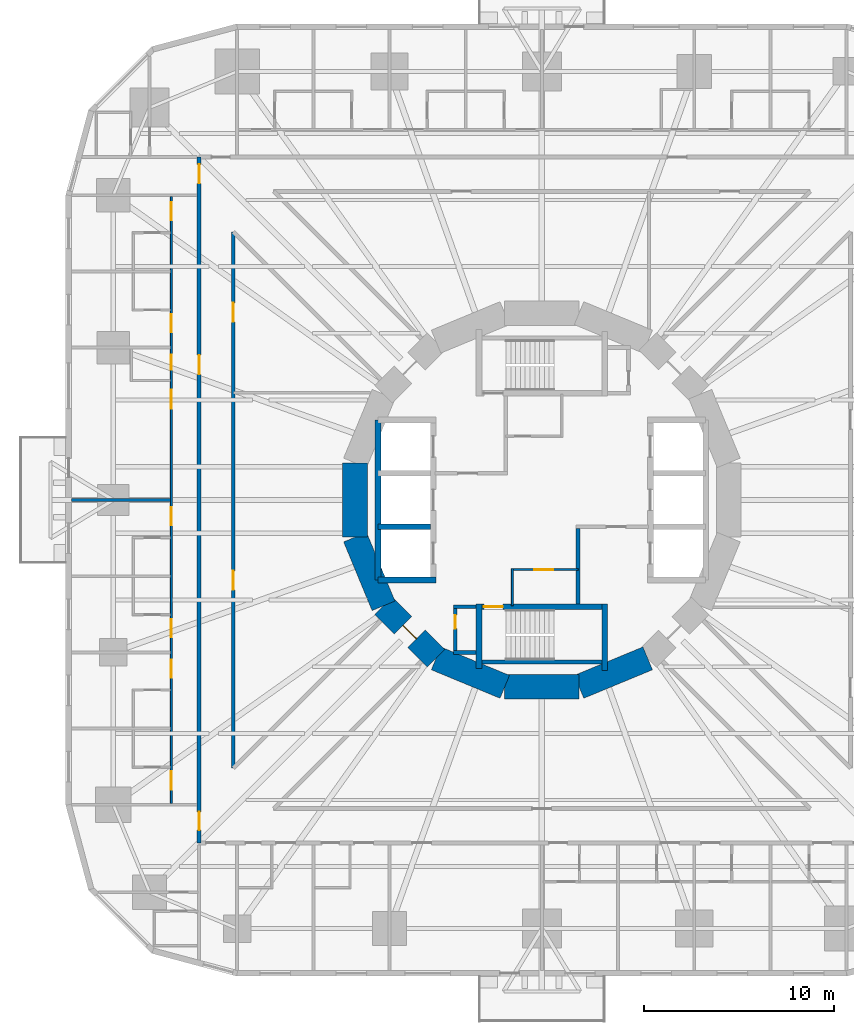
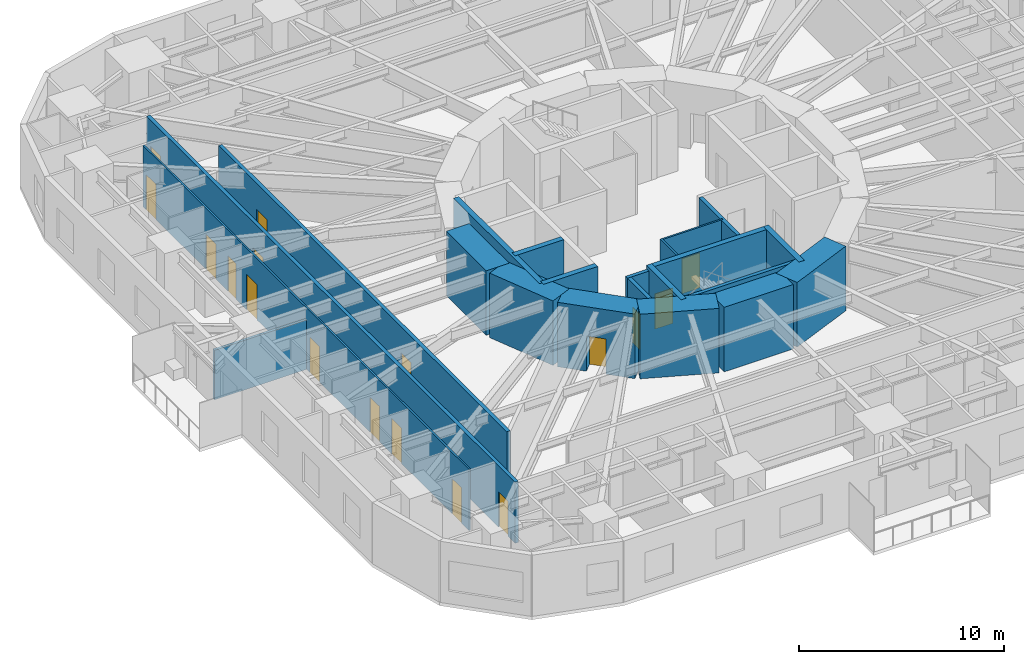
# One storey, part 6 of 14: 23 walls, 17 doors, 17 openings.
"""IFC4 building model written with IfcOpenShell, lengths in metres."""

from ifc_helpers import new_model, si_unit, direction, frame, frame_2d, origin, place, context, subcontext, project, spatial, rectangle, extrude, material, layer, layer_set, type_object, element, fill, save


model = new_model("IFC4")

# Units and contexts
model_context = context("Model", 3, precision=1e-05, world=origin(), true_north=direction((0.0, 1.0)))
body_context = subcontext(model_context, "Body", "Model", "MODEL_VIEW")
ifc_project = project(units=[si_unit("LENGTHUNIT", "METRE"), si_unit("AREAUNIT", "SQUARE_METRE"), si_unit("VOLUMEUNIT", "CUBIC_METRE"), si_unit("PLANEANGLEUNIT", "RADIAN"), si_unit("MASSUNIT", "GRAM", prefix="KILO")], contexts=[model_context])

# Site, building, storey
site_placement = place(None, origin())
site = spatial("IfcSite", under=ifc_project, at=site_placement, CompositionType="ELEMENT")
building_placement = place(site_placement, origin())
building = spatial("IfcBuilding", under=site, at=building_placement, Name="Nakasero Lantern House", CompositionType="ELEMENT")
storey_placement = place(building_placement, frame((0.0, 0.0, 39.10009765625)))
storey = spatial("IfcBuildingStorey", under=building, at=storey_placement, Name="L09", CompositionType="ELEMENT", Elevation=39.10009765625)

# Wall, openings, doors
ifc_material_1 = material(Name="Blockwork", Category="masonry")
ifc_layer_1 = layer(ifc_material_1, 0.10009765625)
ifc_layer_set_1 = layer_set([ifc_layer_1], Name="Cluster hall wall 100")
wall_type_1 = type_object("IfcWallType", Name="Cluster hall wall 100", PredefinedType="PARTITIONING", material=ifc_layer_set_1)
wall_1_placement = place(storey_placement, frame((-19.449951171875, 15.925048828125, 0.0), z_axis=(0.0, 0.0, 1.0), x_axis=(0.0, -1.0, 0.0)))
wall_1 = element("IfcWall", 1, at=wall_1_placement, inside=storey, type_object=wall_type_1, Name="Cluster hall wall L09 HW2-0", PredefinedType="PARTITIONING", context=body_context, shape_type="SweptSolid", body=[
    extrude(rectangle(XDim=31.85009765625, YDim=0.10009765625, at=frame_2d((15.925048828125, 0.0))), origin(), (0.0, 0.0, 1.0), 3.64990234375),
])
opening_1_placement = place(wall_1_placement, frame((10.125, 0.0, 0.0)))
opening_1 = element("IfcOpeningElement", 2, at=opening_1_placement, cuts=wall_1, Name="Opening D03", PredefinedType="OPENING", context=body_context, shape_type="SweptSolid", body=[
    extrude(rectangle(XDim=1.0, YDim=2.10009765625, at=frame_2d((0.5, 1.050048828125))), frame((0.0, 0.070068359375, 0.0), z_axis=(0.0, -1.0, 0.0), x_axis=(1.0, 0.0, 0.0)), (0.0, 0.0, 1.0), 0.14013671875),
])
opening_2_placement = place(wall_1_placement, frame((8.300048828125, 0.0, 0.0)))
opening_2 = element("IfcOpeningElement", 3, at=opening_2_placement, cuts=wall_1, Name="Opening D02", PredefinedType="OPENING", context=body_context, shape_type="SweptSolid", body=[
    extrude(rectangle(XDim=0.800048828125, YDim=2.10009765625, at=frame_2d((0.39990234375, 1.050048828125))), frame((0.0, 0.070068359375, 0.0), z_axis=(0.0, -1.0, 0.0), x_axis=(1.0, 0.0, 0.0)), (0.0, 0.0, 1.0), 0.14013671875),
])
opening_3_placement = place(wall_1_placement, frame((0.300048828125, 0.0, 0.0)))
opening_3 = element("IfcOpeningElement", 4, at=opening_3_placement, cuts=wall_1, Name="Opening D01", PredefinedType="OPENING", context=body_context, shape_type="SweptSolid", body=[
    extrude(rectangle(XDim=0.949951171875, YDim=2.10009765625, at=frame_2d((0.47509765625, 1.050048828125))), frame((0.0, 0.070068359375, 0.0), z_axis=(0.0, -1.0, 0.0), x_axis=(1.0, 0.0, 0.0)), (0.0, 0.0, 1.0), 0.14013671875),
])
opening_4_placement = place(wall_1_placement, frame((6.175048828125, 0.0, 0.0)))
opening_4 = element("IfcOpeningElement", 5, at=opening_4_placement, cuts=wall_1, Name="Opening D01", PredefinedType="OPENING", context=body_context, shape_type="SweptSolid", body=[
    extrude(rectangle(XDim=0.949951171875, YDim=2.10009765625, at=frame_2d((0.47509765625, 1.050048828125))), frame((0.0, 0.070068359375, 0.0), z_axis=(0.0, -1.0, 0.0), x_axis=(1.0, 0.0, 0.0)), (0.0, 0.0, 1.0), 0.14013671875),
])
opening_5_placement = place(wall_1_placement, frame((16.300048828125, 0.0, 0.0)))
opening_5 = element("IfcOpeningElement", 6, at=opening_5_placement, cuts=wall_1, Name="Opening D01", PredefinedType="OPENING", context=body_context, shape_type="SweptSolid", body=[
    extrude(rectangle(XDim=0.949951171875, YDim=2.10009765625, at=frame_2d((0.47509765625, 1.050048828125))), frame((0.0, 0.070068359375, 0.0), z_axis=(0.0, -1.0, 0.0), x_axis=(1.0, 0.0, 0.0)), (0.0, 0.0, 1.0), 0.14013671875),
])
opening_6_placement = place(wall_1_placement, frame((22.175048828125, 0.0, 0.0)))
opening_6 = element("IfcOpeningElement", 7, at=opening_6_placement, cuts=wall_1, Name="Opening D01", PredefinedType="OPENING", context=body_context, shape_type="SweptSolid", body=[
    extrude(rectangle(XDim=0.949951171875, YDim=2.10009765625, at=frame_2d((0.47509765625, 1.050048828125))), frame((0.0, 0.070068359375, 0.0), z_axis=(0.0, -1.0, 0.0), x_axis=(1.0, 0.0, 0.0)), (0.0, 0.0, 1.0), 0.14013671875),
])
opening_7_placement = place(wall_1_placement, frame((24.300048828125, 0.0, 0.0)))
opening_7 = element("IfcOpeningElement", 8, at=opening_7_placement, cuts=wall_1, Name="Opening D01", PredefinedType="OPENING", context=body_context, shape_type="SweptSolid", body=[
    extrude(rectangle(XDim=0.949951171875, YDim=2.10009765625, at=frame_2d((0.47509765625, 1.050048828125))), frame((0.0, 0.070068359375, 0.0), z_axis=(0.0, -1.0, 0.0), x_axis=(1.0, 0.0, 0.0)), (0.0, 0.0, 1.0), 0.14013671875),
])
opening_8_placement = place(wall_1_placement, frame((30.175048828125, 0.0, 0.0)))
opening_8 = element("IfcOpeningElement", 9, at=opening_8_placement, cuts=wall_1, Name="Opening D01", PredefinedType="OPENING", context=body_context, shape_type="SweptSolid", body=[
    extrude(rectangle(XDim=0.949951171875, YDim=2.10009765625, at=frame_2d((0.47509765625, 1.050048828125))), frame((0.0, 0.070068359375, 0.0), z_axis=(0.0, -1.0, 0.0), x_axis=(1.0, 0.0, 0.0)), (0.0, 0.0, 1.0), 0.14013671875),
])
ifc_material_2 = material(Name="Timber C24", Category="wood")
door_type_1 = type_object("IfcDoorType", Name="Bedroom door FD30S 950", OperationType="SINGLE_SWING_LEFT", PredefinedType="DOOR", material=ifc_material_2)
door_1_placement = place(opening_3_placement, origin())
door_1 = element("IfcDoor", 10, at=door_1_placement, inside=storey, type_object=door_type_1, Name="Door L09 D2-01", OperationType="SINGLE_SWING_LEFT", OverallHeight=2.10009765625, OverallWidth=0.949951171875, PredefinedType="DOOR", context=body_context, shape_type="SweptSolid", body=[
    extrude(rectangle(XDim=0.949951171875, YDim=2.10009765625, at=frame_2d((0.47509765625, 1.050048828125))), frame((0.0, 0.02490234375, 0.0), z_axis=(0.0, -1.0, 0.0), x_axis=(1.0, 0.0, 0.0)), (0.0, 0.0, 1.0), 0.050048828125),
])
fill(opening_3, door_1)
door_2_placement = place(opening_4_placement, origin())
door_2 = element("IfcDoor", 11, at=door_2_placement, inside=storey, type_object=door_type_1, Name="Door L09 D2-02", OperationType="SINGLE_SWING_LEFT", OverallHeight=2.10009765625, OverallWidth=0.949951171875, PredefinedType="DOOR", context=body_context, shape_type="SweptSolid", body=[
    extrude(rectangle(XDim=0.949951171875, YDim=2.10009765625, at=frame_2d((0.47509765625, 1.050048828125))), frame((0.0, 0.02490234375, 0.0), z_axis=(0.0, -1.0, 0.0), x_axis=(1.0, 0.0, 0.0)), (0.0, 0.0, 1.0), 0.050048828125),
])
fill(opening_4, door_2)
door_3_placement = place(opening_5_placement, origin())
door_3 = element("IfcDoor", 12, at=door_3_placement, inside=storey, type_object=door_type_1, Name="Door L09 D2-05", OperationType="SINGLE_SWING_RIGHT", OverallHeight=2.10009765625, OverallWidth=0.949951171875, PredefinedType="DOOR", context=body_context, shape_type="SweptSolid", body=[
    extrude(rectangle(XDim=0.949951171875, YDim=2.10009765625, at=frame_2d((0.47509765625, 1.050048828125))), frame((0.0, 0.02490234375, 0.0), z_axis=(0.0, -1.0, 0.0), x_axis=(1.0, 0.0, 0.0)), (0.0, 0.0, 1.0), 0.050048828125),
])
fill(opening_5, door_3)
door_4_placement = place(opening_6_placement, origin())
door_4 = element("IfcDoor", 13, at=door_4_placement, inside=storey, type_object=door_type_1, Name="Door L09 D2-06", OperationType="SINGLE_SWING_RIGHT", OverallHeight=2.10009765625, OverallWidth=0.949951171875, PredefinedType="DOOR", context=body_context, shape_type="SweptSolid", body=[
    extrude(rectangle(XDim=0.949951171875, YDim=2.10009765625, at=frame_2d((0.47509765625, 1.050048828125))), frame((0.0, 0.02490234375, 0.0), z_axis=(0.0, -1.0, 0.0), x_axis=(1.0, 0.0, 0.0)), (0.0, 0.0, 1.0), 0.050048828125),
])
fill(opening_6, door_4)
door_5_placement = place(opening_7_placement, origin())
door_5 = element("IfcDoor", 14, at=door_5_placement, inside=storey, type_object=door_type_1, Name="Door L09 D2-07", OperationType="SINGLE_SWING_RIGHT", OverallHeight=2.10009765625, OverallWidth=0.949951171875, PredefinedType="DOOR", context=body_context, shape_type="SweptSolid", body=[
    extrude(rectangle(XDim=0.949951171875, YDim=2.10009765625, at=frame_2d((0.47509765625, 1.050048828125))), frame((0.0, 0.02490234375, 0.0), z_axis=(0.0, -1.0, 0.0), x_axis=(1.0, 0.0, 0.0)), (0.0, 0.0, 1.0), 0.050048828125),
])
fill(opening_7, door_5)
door_6_placement = place(opening_8_placement, origin())
door_6 = element("IfcDoor", 15, at=door_6_placement, inside=storey, type_object=door_type_1, Name="Door L09 D2-08", OperationType="SINGLE_SWING_RIGHT", OverallHeight=2.10009765625, OverallWidth=0.949951171875, PredefinedType="DOOR", context=body_context, shape_type="SweptSolid", body=[
    extrude(rectangle(XDim=0.949951171875, YDim=2.10009765625, at=frame_2d((0.47509765625, 1.050048828125))), frame((0.0, 0.02490234375, 0.0), z_axis=(0.0, -1.0, 0.0), x_axis=(1.0, 0.0, 0.0)), (0.0, 0.0, 1.0), 0.050048828125),
])
fill(opening_8, door_6)
ifc_material_3 = material(Name="Timber C24", Category="wood")
door_type_2 = type_object("IfcDoorType", Name="En-suite door 800", OperationType="SINGLE_SWING_RIGHT", PredefinedType="DOOR", material=ifc_material_3)
door_7_placement = place(opening_2_placement, origin())
door_7 = element("IfcDoor", 16, at=door_7_placement, inside=storey, type_object=door_type_2, Name="Door L09 DSH2-0", OperationType="SINGLE_SWING_LEFT", OverallHeight=2.10009765625, OverallWidth=0.800048828125, PredefinedType="DOOR", context=body_context, shape_type="SweptSolid", body=[
    extrude(rectangle(XDim=0.800048828125, YDim=2.10009765625, at=frame_2d((0.39990234375, 1.050048828125))), frame((0.0, 0.02490234375, 0.0), z_axis=(0.0, -1.0, 0.0), x_axis=(1.0, 0.0, 0.0)), (0.0, 0.0, 1.0), 0.050048828125),
])
fill(opening_2, door_7)
ifc_material_4 = material(Name="Timber C24", Category="wood")
door_type_3 = type_object("IfcDoorType", Name="Lounge door FD30S 1000", OperationType="SINGLE_SWING_LEFT", PredefinedType="DOOR", material=ifc_material_4)
door_8_placement = place(opening_1_placement, origin())
door_8 = element("IfcDoor", 17, at=door_8_placement, inside=storey, type_object=door_type_3, Name="Door L09 DH2-0", OperationType="SINGLE_SWING_LEFT", OverallHeight=2.10009765625, OverallWidth=1.0, PredefinedType="DOOR", context=body_context, shape_type="SweptSolid", body=[
    extrude(rectangle(XDim=1.0, YDim=2.10009765625, at=frame_2d((0.5, 1.050048828125))), frame((0.0, 0.02490234375, 0.0), z_axis=(0.0, -1.0, 0.0), x_axis=(1.0, 0.0, 0.0)), (0.0, 0.0, 1.0), 0.050048828125),
])
fill(opening_1, door_8)

# Walls
ifc_material_5 = material(Name="Concrete C50/60", Category="concrete")
ifc_layer_2 = layer(ifc_material_5, 0.300048828125)
ifc_layer_set_2 = layer_set([ifc_layer_2], Name="Core inner wall 300")
wall_type_2 = type_object("IfcWallType", Name="Core inner wall 300", PredefinedType="SHEAR", material=ifc_layer_set_2)
wall_2_placement = place(storey_placement, frame((-8.60009765625, -4.199951171875, 0.0), z_axis=(0.0, 0.0, 1.0), x_axis=(1.0, 0.0, 0.0)))
element("IfcWall", 18, at=wall_2_placement, inside=storey, type_object=wall_type_2, Name="Core inner wall L09 LWS", PredefinedType="SHEAR", context=body_context, shape_type="SweptSolid", body=[
    extrude(rectangle(XDim=3.050048828125, YDim=0.300048828125, at=frame_2d((1.52490234375, 0.0))), origin(), (0.0, 0.0, 1.0), 3.849853515625),
])
wall_3_placement = place(storey_placement, frame((-8.60009765625, -4.199951171875, 0.0), z_axis=(0.0, 0.0, 1.0), x_axis=(0.0, 1.0, 0.0)))
element("IfcWall", 19, at=wall_3_placement, inside=storey, type_object=wall_type_2, Name="Core inner wall L09 LWB", PredefinedType="SHEAR", context=body_context, shape_type="SweptSolid", body=[
    extrude(rectangle(XDim=8.39990234375, YDim=0.300048828125, at=frame_2d((4.199951171875, 0.0))), origin(), (0.0, 0.0, 1.0), 3.849853515625),
])
wall_4_placement = place(storey_placement, frame((-8.60009765625, -1.39990234375, 0.0), z_axis=(0.0, 0.0, 1.0), x_axis=(1.0, 0.0, 0.0)))
element("IfcWall", 20, at=wall_4_placement, inside=storey, type_object=wall_type_2, Name="Core inner wall L09 LW1", PredefinedType="SHEAR", context=body_context, shape_type="SweptSolid", body=[
    extrude(rectangle(XDim=2.75, YDim=0.300048828125, at=frame_2d((1.375, 0.0))), origin(), (0.0, 0.0, 1.0), 3.849853515625),
])

# Wall, opening, door
wall_5_placement = place(storey_placement, frame((-3.449951171875, -5.60009765625, 0.0), z_axis=(0.0, 0.0, 1.0), x_axis=(1.0, 0.0, 0.0)))
wall_5 = element("IfcWall", 21, at=wall_5_placement, inside=storey, type_object=wall_type_2, Name="Core inner wall L09 SS", PredefinedType="SHEAR", context=body_context, shape_type="SweptSolid", body=[
    extrude(rectangle(XDim=6.89990234375, YDim=0.300048828125, at=frame_2d((3.449951171875, 0.0))), origin(), (0.0, 0.0, 1.0), 3.849853515625),
])
opening_9_placement = place(wall_5_placement, frame((0.39990234375, 0.0, 0.0)))
opening_9 = element("IfcOpeningElement", 22, at=opening_9_placement, cuts=wall_5, Name="Opening D05", PredefinedType="OPENING", context=body_context, shape_type="SweptSolid", body=[
    extrude(rectangle(XDim=1.0, YDim=2.10009765625, at=frame_2d((0.5, 1.050048828125))), frame((0.0, 0.169921875, 0.0), z_axis=(0.0, -1.0, 0.0), x_axis=(1.0, 0.0, 0.0)), (0.0, 0.0, 1.0), 0.340087890625),
])
ifc_material_6 = material(Name="Timber C24", Category="wood")
door_type_4 = type_object("IfcDoorType", Name="Core door FD60S 1000", OperationType="SINGLE_SWING_LEFT", PredefinedType="DOOR", material=ifc_material_6)
door_9_placement = place(opening_9_placement, origin())
door_9 = element("IfcDoor", 23, at=door_9_placement, inside=storey, type_object=door_type_4, Name="Door L09 D-ST2", OperationType="SINGLE_SWING_LEFT", OverallHeight=2.10009765625, OverallWidth=1.0, PredefinedType="DOOR", context=body_context, shape_type="SweptSolid", body=[
    extrude(rectangle(XDim=1.0, YDim=2.10009765625, at=frame_2d((0.5, 1.050048828125))), frame((0.0, 0.02490234375, 0.0), z_axis=(0.0, -1.0, 0.0), x_axis=(1.0, 0.0, 0.0)), (0.0, 0.0, 1.0), 0.050048828125),
])
fill(opening_9, door_9)

# Walls
wall_6_placement = place(storey_placement, frame((-3.300048828125, -5.449951171875, 0.0), z_axis=(0.0, 0.0, 1.0), x_axis=(0.0, -1.0, 0.0)))
element("IfcWall", 24, at=wall_6_placement, inside=storey, type_object=wall_type_2, Name="Core inner wall L09 SSW", PredefinedType="SHEAR", context=body_context, shape_type="SweptSolid", body=[
    extrude(rectangle(XDim=3.400146484375, YDim=0.300048828125, at=frame_2d((1.7001953125, 0.0))), origin(), (0.0, 0.0, 1.0), 3.849853515625),
])
wall_7_placement = place(storey_placement, frame((3.300048828125, -5.449951171875, 0.0), z_axis=(0.0, 0.0, 1.0), x_axis=(0.0, -1.0, 0.0)))
element("IfcWall", 25, at=wall_7_placement, inside=storey, type_object=wall_type_2, Name="Core inner wall L09 SSE", PredefinedType="SHEAR", context=body_context, shape_type="SweptSolid", body=[
    extrude(rectangle(XDim=3.5, YDim=0.300048828125, at=frame_2d((1.75, 0.0))), origin(), (0.0, 0.0, 1.0), 3.849853515625),
])

# Wall, opening, door
ifc_material_7 = material(Name="Blockwork", Category="masonry")
ifc_layer_3 = layer(ifc_material_7, 0.10009765625)
ifc_layer_set_3 = layer_set([ifc_layer_3], Name="Core room wall 100")
wall_type_3 = type_object("IfcWallType", Name="Core room wall 100", PredefinedType="PARTITIONING", material=ifc_layer_set_3)
wall_8_placement = place(storey_placement, frame((-1.60009765625, -3.64990234375, 0.0), z_axis=(0.0, 0.0, 1.0), x_axis=(1.0, 0.0, 0.0)))
wall_8 = element("IfcWall", 26, at=wall_8_placement, inside=storey, type_object=wall_type_3, Name="Core room wall L09 CR-SWN", PredefinedType="PARTITIONING", context=body_context, shape_type="SweptSolid", body=[
    extrude(rectangle(XDim=3.5, YDim=0.10009765625, at=frame_2d((1.75, 0.0))), origin(), (0.0, 0.0, 1.0), 3.64990234375),
])
opening_10_placement = place(wall_8_placement, frame((1.199951171875, 0.0, 0.0)))
opening_10 = element("IfcOpeningElement", 27, at=opening_10_placement, cuts=wall_8, Name="Opening D07", PredefinedType="OPENING", context=body_context, shape_type="SweptSolid", body=[
    extrude(rectangle(XDim=1.0, YDim=2.10009765625, at=frame_2d((0.5, 1.050048828125))), frame((0.0, 0.070068359375, 0.0), z_axis=(0.0, -1.0, 0.0), x_axis=(1.0, 0.0, 0.0)), (0.0, 0.0, 1.0), 0.14013671875),
])
ifc_material_8 = material(Name="Timber C24", Category="wood")
door_type_5 = type_object("IfcDoorType", Name="Room door FD30S 1000", OperationType="SINGLE_SWING_LEFT", PredefinedType="DOOR", material=ifc_material_8)
door_10_placement = place(opening_10_placement, origin())
door_10 = element("IfcDoor", 28, at=door_10_placement, inside=storey, type_object=door_type_5, Name="Door L09 D-CR-SW", OperationType="SINGLE_SWING_LEFT", OverallHeight=2.10009765625, OverallWidth=1.0, PredefinedType="DOOR", context=body_context, shape_type="SweptSolid", body=[
    extrude(rectangle(XDim=1.0, YDim=2.10009765625, at=frame_2d((0.5, 1.050048828125))), frame((0.0, 0.02490234375, 0.0), z_axis=(0.0, -1.0, 0.0), x_axis=(1.0, 0.0, 0.0)), (0.0, 0.0, 1.0), 0.050048828125),
])
fill(opening_10, door_10)

# Walls
wall_9_placement = place(storey_placement, frame((-1.550048828125, -5.550048828125, 0.0), z_axis=(0.0, 0.0, 1.0), x_axis=(0.0, 1.0, 0.0)))
element("IfcWall", 29, at=wall_9_placement, inside=storey, type_object=wall_type_3, Name="Core room wall L09 CR-SWW", PredefinedType="PARTITIONING", context=body_context, shape_type="SweptSolid", body=[
    extrude(rectangle(XDim=1.949951171875, YDim=0.10009765625, at=frame_2d((0.97509765625, 0.0))), origin(), (0.0, 0.0, 1.0), 3.64990234375),
])
ifc_material_9 = material(Name="Concrete C50/60", Category="concrete")
ifc_layer_4 = layer(ifc_material_9, 1.300048828125)
ifc_layer_set_4 = layer_set([ifc_layer_4], Name="Core wall 1300")
wall_type_4 = type_object("IfcWallType", Name="Core wall 1300", PredefinedType="SHEAR", material=ifc_layer_set_4)
for number, where, z_axis, x_axis, name in (
    (30, (-9.807861328125, 1.950927734375, 0.0), (0.0, 0.0, 1.0), (0.0, -1.0, 0.0), "Core wall L09 facet 8"),
    (31, (-9.807861328125, -1.950927734375, 0.0), (0.0, 0.0, 1.0), (0.382690736062, -0.923876507187, 0.0), "Core wall L09 facet 9"),
):
    element("IfcWall", number, at=place(storey_placement, frame(where, z_axis=z_axis, x_axis=x_axis)), inside=storey, type_object=wall_type_4, Name=name, PredefinedType="SHEAR", context=body_context, shape_type="SweptSolid", body=[
        extrude(rectangle(XDim=3.90185546875, YDim=1.300048828125, at=frame_2d((1.950927734375, 0.0))), origin(), (0.0, 0.0, 1.0), 3.849853515625),
    ])

# Wall, opening, door
wall_10_placement = place(storey_placement, frame((-8.314697265625, -5.5556640625, 0.0), z_axis=(0.0, 0.0, 1.0), x_axis=(0.707106781187, -0.707106781187, 0.0)))
wall_10 = element("IfcWall", 32, at=wall_10_placement, inside=storey, type_object=wall_type_4, Name="Core wall L09 facet 10", PredefinedType="SHEAR", context=body_context, shape_type="SweptSolid", body=[
    extrude(rectangle(XDim=3.90185546875, YDim=1.300048828125, at=frame_2d((1.950927734375, 0.0))), origin(), (0.0, 0.0, 1.0), 3.849853515625),
])
opening_11_placement = place(wall_10_placement, frame((1.450927734375, 0.0, 0.0)))
opening_11 = element("IfcOpeningElement", 33, at=opening_11_placement, cuts=wall_10, Name="Opening D05", PredefinedType="OPENING", context=body_context, shape_type="SweptSolid", body=[
    extrude(rectangle(XDim=1.0, YDim=2.10009765625, at=frame_2d((0.5, 1.050048828125))), frame((0.0, 0.669921875, 0.0), z_axis=(0.0, -1.0, 0.0), x_axis=(1.0, 0.0, 0.0)), (0.0, 0.0, 1.0), 1.340087890625),
])
door_11_placement = place(opening_11_placement, origin())
door_11 = element("IfcDoor", 34, at=door_11_placement, inside=storey, type_object=door_type_4, Name="Door L09 D-CORE10", OperationType="SINGLE_SWING_LEFT", OverallHeight=2.10009765625, OverallWidth=1.0, PredefinedType="DOOR", context=body_context, shape_type="SweptSolid", body=[
    extrude(rectangle(XDim=1.0, YDim=2.10009765625, at=frame_2d((0.5, 1.050048828125))), frame((0.0, 0.02490234375, 0.0), z_axis=(0.0, -1.0, 0.0), x_axis=(1.0, 0.0, 0.0)), (0.0, 0.0, 1.0), 0.050048828125),
])
fill(opening_11, door_11)

# Walls
for number, where, z_axis, x_axis, name in (
    (35, (-5.5556640625, -8.314697265625, 0.0), (0.0, 0.0, 1.0), (0.923876507187, -0.382690736062, 0.0), "Core wall L09 facet 11"),
    (36, (-1.950927734375, -9.807861328125, 0.0), (0.0, 0.0, 1.0), (1.0, 0.0, 0.0), "Core wall L09 facet 12"),
    (37, (1.950927734375, -9.807861328125, 0.0), (0.0, 0.0, 1.0), (0.923876507187, 0.382690736062, 0.0), "Core wall L09 facet 13"),
):
    element("IfcWall", number, at=place(storey_placement, frame(where, z_axis=z_axis, x_axis=x_axis)), inside=storey, type_object=wall_type_4, Name=name, PredefinedType="SHEAR", context=body_context, shape_type="SweptSolid", body=[
        extrude(rectangle(XDim=3.90185546875, YDim=1.300048828125, at=frame_2d((1.950927734375, 0.0))), origin(), (0.0, 0.0, 1.0), 3.849853515625),
    ])

# Wall, openings, doors
ifc_material_10 = material(Name="Blockwork", Category="masonry")
ifc_layer_5 = layer(ifc_material_10, 0.199951171875)
ifc_layer_set_5 = layer_set([ifc_layer_5], Name="Corridor wall 200")
wall_type_5 = type_object("IfcWallType", Name="Corridor wall 200", PredefinedType="PARTITIONING", material=ifc_layer_set_5)
wall_11_placement = place(storey_placement, frame((-18.0, 18.0, 0.0), z_axis=(0.0, 0.0, 1.0), x_axis=(0.0, -1.0, 0.0)))
wall_11 = element("IfcWall", 38, at=wall_11_placement, inside=storey, type_object=wall_type_5, Name="Corridor wall L09 CW2", PredefinedType="PARTITIONING", context=body_context, shape_type="SweptSolid", body=[
    extrude(rectangle(XDim=36.0, YDim=0.199951171875, at=frame_2d((18.0, 0.0))), origin(), (0.0, 0.0, 1.0), 3.64990234375),
])
opening_12_placement = place(wall_11_placement, frame((10.39990234375, 0.0, 0.0)))
opening_12 = element("IfcOpeningElement", 39, at=opening_12_placement, cuts=wall_11, Name="Opening D14", PredefinedType="OPENING", context=body_context, shape_type="SweptSolid", body=[
    extrude(rectangle(XDim=1.0, YDim=2.10009765625, at=frame_2d((0.5, 1.050048828125))), frame((0.0, 0.119873046875, 0.0), z_axis=(0.0, -1.0, 0.0), x_axis=(1.0, 0.0, 0.0)), (0.0, 0.0, 1.0), 0.239990234375),
])
opening_13_placement = place(wall_11_placement, frame((0.375, 0.0, 0.0)))
opening_13 = element("IfcOpeningElement", 40, at=opening_13_placement, cuts=wall_11, Name="Opening D07", PredefinedType="OPENING", context=body_context, shape_type="SweptSolid", body=[
    extrude(rectangle(XDim=1.0, YDim=2.10009765625, at=frame_2d((0.5, 1.050048828125))), frame((0.0, 0.119873046875, 0.0), z_axis=(0.0, -1.0, 0.0), x_axis=(1.0, 0.0, 0.0)), (0.0, 0.0, 1.0), 0.239990234375),
])
opening_14_placement = place(wall_11_placement, frame((34.375, 0.0, 0.0)))
opening_14 = element("IfcOpeningElement", 41, at=opening_14_placement, cuts=wall_11, Name="Opening D01", PredefinedType="OPENING", context=body_context, shape_type="SweptSolid", body=[
    extrude(rectangle(XDim=0.949951171875, YDim=2.10009765625, at=frame_2d((0.47509765625, 1.050048828125))), frame((0.0, 0.119873046875, 0.0), z_axis=(0.0, -1.0, 0.0), x_axis=(1.0, 0.0, 0.0)), (0.0, 0.0, 1.0), 0.239990234375),
])
door_12_placement = place(opening_14_placement, origin())
door_12 = element("IfcDoor", 42, at=door_12_placement, inside=storey, type_object=door_type_1, Name="Door L09 D2-09", OperationType="SINGLE_SWING_RIGHT", OverallHeight=2.10009765625, OverallWidth=0.949951171875, PredefinedType="DOOR", context=body_context, shape_type="SweptSolid", body=[
    extrude(rectangle(XDim=0.949951171875, YDim=2.10009765625, at=frame_2d((0.47509765625, 1.050048828125))), frame((0.0, 0.02490234375, 0.0), z_axis=(0.0, -1.0, 0.0), x_axis=(1.0, 0.0, 0.0)), (0.0, 0.0, 1.0), 0.050048828125),
])
fill(opening_14, door_12)
ifc_material_11 = material(Name="Timber C24", Category="wood")
door_type_6 = type_object("IfcDoorType", Name="Cluster entrance door FD30S 1000", OperationType="SINGLE_SWING_LEFT", PredefinedType="DOOR", material=ifc_material_11)
door_13_placement = place(opening_12_placement, origin())
door_13 = element("IfcDoor", 43, at=door_13_placement, inside=storey, type_object=door_type_6, Name="Door L09 DF2-0", OperationType="SINGLE_SWING_LEFT", OverallHeight=2.10009765625, OverallWidth=1.0, PredefinedType="DOOR", context=body_context, shape_type="SweptSolid", body=[
    extrude(rectangle(XDim=1.0, YDim=2.10009765625, at=frame_2d((0.5, 1.050048828125))), frame((0.0, 0.02490234375, 0.0), z_axis=(0.0, -1.0, 0.0), x_axis=(1.0, 0.0, 0.0)), (0.0, 0.0, 1.0), 0.050048828125),
])
fill(opening_12, door_13)
door_14_placement = place(opening_13_placement, origin())
door_14 = element("IfcDoor", 44, at=door_14_placement, inside=storey, type_object=door_type_5, Name="Door L09 D2-00", OperationType="SINGLE_SWING_LEFT", OverallHeight=2.10009765625, OverallWidth=1.0, PredefinedType="DOOR", context=body_context, shape_type="SweptSolid", body=[
    extrude(rectangle(XDim=1.0, YDim=2.10009765625, at=frame_2d((0.5, 1.050048828125))), frame((0.0, 0.02490234375, 0.0), z_axis=(0.0, -1.0, 0.0), x_axis=(1.0, 0.0, 0.0)), (0.0, 0.0, 1.0), 0.050048828125),
])
fill(opening_13, door_14)

wall_12_placement = place(storey_placement, frame((-16.199951171875, 14.07861328125, 0.0), z_axis=(0.0, 0.0, 1.0), x_axis=(0.0, -1.0, 0.0)))
wall_12 = element("IfcWall", 45, at=wall_12_placement, inside=storey, type_object=wall_type_5, Name="Corridor wall L09 IW2-0", PredefinedType="PARTITIONING", context=body_context, shape_type="SweptSolid", body=[
    extrude(rectangle(XDim=28.1572265625, YDim=0.199951171875, at=frame_2d((14.07861328125, 0.0))), origin(), (0.0, 0.0, 1.0), 3.64990234375),
])
opening_15_placement = place(wall_12_placement, frame((3.7236328125, 0.0, 0.0)))
opening_15 = element("IfcOpeningElement", 46, at=opening_15_placement, cuts=wall_12, Name="Opening D07", PredefinedType="OPENING", context=body_context, shape_type="SweptSolid", body=[
    extrude(rectangle(XDim=1.0, YDim=2.10009765625, at=frame_2d((0.5, 1.050048828125))), frame((0.0, 0.119873046875, 0.0), z_axis=(0.0, -1.0, 0.0), x_axis=(1.0, 0.0, 0.0)), (0.0, 0.0, 1.0), 0.239990234375),
])
opening_16_placement = place(wall_12_placement, frame((17.80224609375, 0.0, 0.0)))
opening_16 = element("IfcOpeningElement", 47, at=opening_16_placement, cuts=wall_12, Name="Opening D07", PredefinedType="OPENING", context=body_context, shape_type="SweptSolid", body=[
    extrude(rectangle(XDim=1.0, YDim=2.10009765625, at=frame_2d((0.5, 1.050048828125))), frame((0.0, 0.119873046875, 0.0), z_axis=(0.0, -1.0, 0.0), x_axis=(1.0, 0.0, 0.0)), (0.0, 0.0, 1.0), 0.239990234375),
])
door_15_placement = place(opening_15_placement, origin())
door_15 = element("IfcDoor", 48, at=door_15_placement, inside=storey, type_object=door_type_5, Name="Door L09 DI4", OperationType="SINGLE_SWING_LEFT", OverallHeight=2.10009765625, OverallWidth=1.0, PredefinedType="DOOR", context=body_context, shape_type="SweptSolid", body=[
    extrude(rectangle(XDim=1.0, YDim=2.10009765625, at=frame_2d((0.5, 1.050048828125))), frame((0.0, 0.02490234375, 0.0), z_axis=(0.0, -1.0, 0.0), x_axis=(1.0, 0.0, 0.0)), (0.0, 0.0, 1.0), 0.050048828125),
])
fill(opening_15, door_15)
door_16_placement = place(opening_16_placement, origin())
door_16 = element("IfcDoor", 49, at=door_16_placement, inside=storey, type_object=door_type_5, Name="Door L09 DI4S", OperationType="SINGLE_SWING_RIGHT", OverallHeight=2.10009765625, OverallWidth=1.0, PredefinedType="DOOR", context=body_context, shape_type="SweptSolid", body=[
    extrude(rectangle(XDim=1.0, YDim=2.10009765625, at=frame_2d((0.5, 1.050048828125))), frame((0.0, 0.02490234375, 0.0), z_axis=(0.0, -1.0, 0.0), x_axis=(1.0, 0.0, 0.0)), (0.0, 0.0, 1.0), 0.050048828125),
])
fill(opening_16, door_16)

# Wall
ifc_material_12 = material(Name="Blockwork", Category="masonry")
ifc_layer_6 = layer(ifc_material_12, 0.199951171875)
ifc_layer_set_6 = layer_set([ifc_layer_6], Name="Fire lobby wall 200")
wall_type_6 = type_object("IfcWallType", Name="Fire lobby wall 200", PredefinedType="PARTITIONING", material=ifc_layer_set_6)
wall_13_placement = place(storey_placement, frame((1.89990234375, -1.5, 0.0), z_axis=(0.0, 0.0, 1.0), x_axis=(0.0, -1.0, 0.0)))
element("IfcWall", 50, at=wall_13_placement, inside=storey, type_object=wall_type_6, Name="Fire lobby wall L09 W-FL2W", PredefinedType="PARTITIONING", context=body_context, shape_type="SweptSolid", body=[
    extrude(rectangle(XDim=3.949951171875, YDim=0.199951171875, at=frame_2d((1.97509765625, 0.0))), origin(), (0.0, 0.0, 1.0), 3.64990234375),
])

# Wall, opening, door
wall_14_placement = place(storey_placement, frame((-4.550048828125, -5.60009765625, 0.0), z_axis=(0.0, 0.0, 1.0), x_axis=(0.0, -1.0, 0.0)))
wall_14 = element("IfcWall", 51, at=wall_14_placement, inside=storey, type_object=wall_type_6, Name="Fire lobby wall L09 W-RS2W", PredefinedType="PARTITIONING", context=body_context, shape_type="SweptSolid", body=[
    extrude(rectangle(XDim=2.39990234375, YDim=0.199951171875, at=frame_2d((1.199951171875, 0.0))), origin(), (0.0, 0.0, 1.0), 3.64990234375),
])
opening_17_placement = place(wall_14_placement, frame((0.449951171875, 0.0, 0.0)))
opening_17 = element("IfcOpeningElement", 52, at=opening_17_placement, cuts=wall_14, Name="Opening D06", PredefinedType="OPENING", context=body_context, shape_type="SweptSolid", body=[
    extrude(rectangle(XDim=0.699951171875, YDim=2.10009765625, at=frame_2d((0.35009765625, 1.050048828125))), frame((0.0, 0.119873046875, 0.0), z_axis=(0.0, -1.0, 0.0), x_axis=(1.0, 0.0, 0.0)), (0.0, 0.0, 1.0), 0.239990234375),
])
ifc_material_13 = material(Name="Steel S355", Category="steel")
door_type_7 = type_object("IfcDoorType", Name="Riser door FD60 700", OperationType="SINGLE_SWING_LEFT", PredefinedType="DOOR", material=ifc_material_13)
door_17_placement = place(opening_17_placement, origin())
door_17 = element("IfcDoor", 53, at=door_17_placement, inside=storey, type_object=door_type_7, Name="Door L09 D-RS2", OperationType="SINGLE_SWING_LEFT", OverallHeight=2.10009765625, OverallWidth=0.699951171875, PredefinedType="DOOR", context=body_context, shape_type="SweptSolid", body=[
    extrude(rectangle(XDim=0.699951171875, YDim=2.10009765625, at=frame_2d((0.35009765625, 1.050048828125))), frame((0.0, 0.02490234375, 0.0), z_axis=(0.0, -1.0, 0.0), x_axis=(1.0, 0.0, 0.0)), (0.0, 0.0, 1.0), 0.050048828125),
])
fill(opening_17, door_17)

# Walls
for number, where, z_axis, x_axis, name in (
    (54, (-3.449951171875, -8.0, 0.0), (0.0, 0.0, 1.0), (-1.0, 0.0, 0.0), "Fire lobby wall L09 W-RS2S"),
    (55, (-3.449951171875, -5.60009765625, 0.0), (0.0, 0.0, 1.0), (-1.0, 0.0, 0.0), "Fire lobby wall L09 W-RS2N"),
):
    element("IfcWall", number, at=place(storey_placement, frame(where, z_axis=z_axis, x_axis=x_axis)), inside=storey, type_object=wall_type_6, Name=name, PredefinedType="PARTITIONING", context=body_context, shape_type="SweptSolid", body=[
        extrude(rectangle(XDim=1.199951171875, YDim=0.199951171875, at=frame_2d((0.60009765625, 0.0))), origin(), (0.0, 0.0, 1.0), 3.64990234375),
    ])
wall_15_placement = place(storey_placement, frame((-3.300048828125, -8.5, 0.0), z_axis=(0.0, 0.0, 1.0), x_axis=(1.0, 0.0, 0.0)))
element("IfcWall", 56, at=wall_15_placement, inside=storey, type_object=wall_type_6, Name="Fire lobby wall L09 W-STS", PredefinedType="PARTITIONING", context=body_context, shape_type="SweptSolid", body=[
    extrude(rectangle(XDim=6.60009765625, YDim=0.199951171875, at=frame_2d((3.300048828125, 0.0))), origin(), (0.0, 0.0, 1.0), 3.64990234375),
])
ifc_material_14 = material(Name="Blockwork", Category="masonry")
ifc_layer_7 = layer(ifc_material_14, 0.14990234375)
ifc_layer_set_7 = layer_set([ifc_layer_7], Name="Party wall 150")
wall_type_7 = type_object("IfcWallType", Name="Party wall 150", PredefinedType="PARTITIONING", material=ifc_layer_set_7)
wall_16_placement = place(storey_placement, frame((-19.5, 0.0, 0.0), z_axis=(0.0, 0.0, 1.0), x_axis=(-1.0, 0.0, 0.0)))
element("IfcWall", 57, at=wall_16_placement, inside=storey, type_object=wall_type_7, Name="Party wall L09 PW2-05", PredefinedType="PARTITIONING", context=body_context, shape_type="SweptSolid", body=[
    extrude(rectangle(XDim=5.199951171875, YDim=0.14990234375, at=frame_2d((2.60009765625, 0.0))), origin(), (0.0, 0.0, 1.0), 2.95703125),
])

save(model, "model.ifc")
